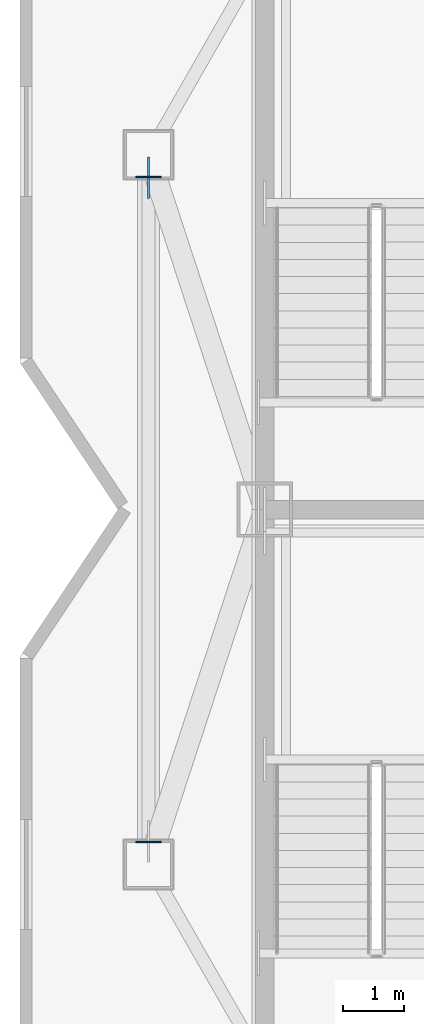
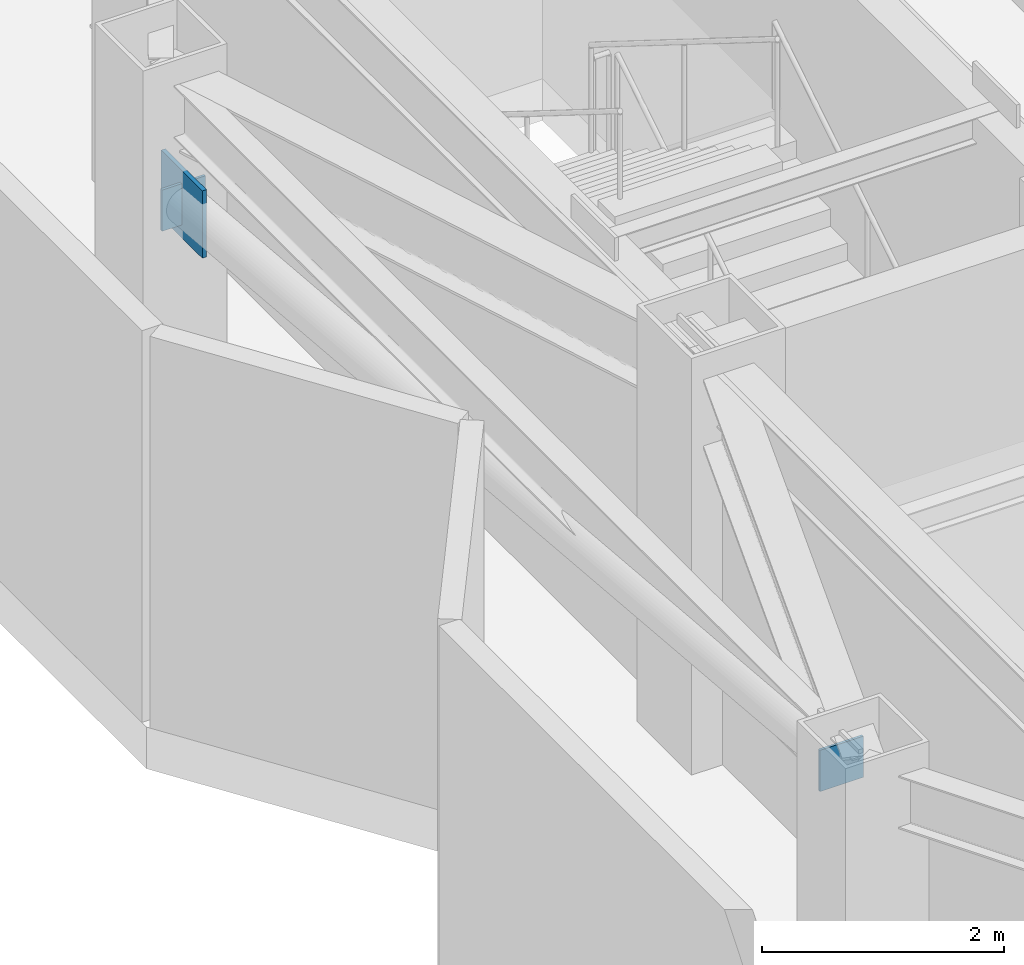
# One storey, part 3 of 12: 3 plates.
"""IFC4 building model written with IfcOpenShell, lengths in metres."""

from ifc_helpers import new_model, si_unit, direction, frame, origin, origin_2d, place, context, subcontext, project, spatial, rectangle, extrude, material, layer, layer_set, type_object, element, save


model = new_model("IFC4")

# Units and contexts
model_context = context("Model", 3, precision=1e-05, world=origin(), true_north=direction((0.0, 1.0)))
body_context = subcontext(model_context, "Body", "Model", "MODEL_VIEW")
ifc_project = project(units=[si_unit("LENGTHUNIT", "METRE"), si_unit("AREAUNIT", "SQUARE_METRE"), si_unit("VOLUMEUNIT", "CUBIC_METRE"), si_unit("PLANEANGLEUNIT", "RADIAN"), si_unit("MASSUNIT", "GRAM", prefix="KILO")], contexts=[model_context])

# Site, building, storey
site_placement = place(None, origin())
site = spatial("IfcSite", under=ifc_project, at=site_placement, CompositionType="ELEMENT")
building_placement = place(site_placement, origin())
building = spatial("IfcBuilding", under=site, at=building_placement, Name="Khamvora Tower", CompositionType="ELEMENT")
storey_placement = place(building_placement, frame((0.0, 0.0, 286.25)))
storey = spatial("IfcBuildingStorey", under=building, at=storey_placement, Name="L73", CompositionType="ELEMENT", Elevation=286.25)

# Plates
ifc_material_1 = material(Name="Steel S355", Category="steel")
ifc_layer_1 = layer(ifc_material_1, 0.02490234375)
ifc_layer_set_1 = layer_set([ifc_layer_1], Name="Steel S355")
plate_type_1 = type_object("IfcPlateType", Name="PL-CAP-25", PredefinedType="SHEET", material=ifc_layer_set_1)
for number, where, z_axis, x_axis, name in (
    (1, (27.10009765625, 33.43310546875, 2.50390625), (0.0, 0.0, 1.0), (0.0, -1.0, 0.0), "L73 hollow section steel end cap plate 1273"),
    (2, (27.10009765625, 22.56689453125, 3.44287109375), (0.0, 0.0, 1.0), (0.0, -1.0, 0.0), "L73 hollow section steel end cap plate 1274"),
):
    element("IfcPlate", number, at=place(storey_placement, frame(where, z_axis=z_axis, x_axis=x_axis)), inside=storey, type_object=plate_type_1, Name=name, PredefinedType="SHEET", context=body_context, shape_type="SweptSolid", body=[
        extrude(rectangle(XDim=0.02490234375, YDim=0.416015625, at=origin_2d()), origin(), (0.0, 0.0, 1.0), 0.416015625),
    ])
ifc_material_2 = material(Name="Steel S460", Category="steel")
ifc_layer_2 = layer(ifc_material_2, 0.0400390625)
ifc_layer_set_2 = layer_set([ifc_layer_2], Name="Steel S460")
plate_type_2 = type_object("IfcPlateType", Name="PLT-GUS-40", PredefinedType="SHEET", material=ifc_layer_set_2)
plate_placement = place(storey_placement, frame((27.10009765625, 33.4208984375, 2.373046875), z_axis=(0.0, 0.0, 1.0), x_axis=(0.0, 1.0, 0.0)))
element("IfcPlate", 3, at=plate_placement, inside=storey, type_object=plate_type_2, Name="L73 brace connection node gusset plate 0449", PredefinedType="SHEET", context=body_context, shape_type="SweptSolid", body=[
    extrude(rectangle(XDim=0.679931640625, YDim=0.0400390625, at=origin_2d()), origin(), (0.0, 0.0, 1.0), 0.679931640625),
])

save(model, "model.ifc")
